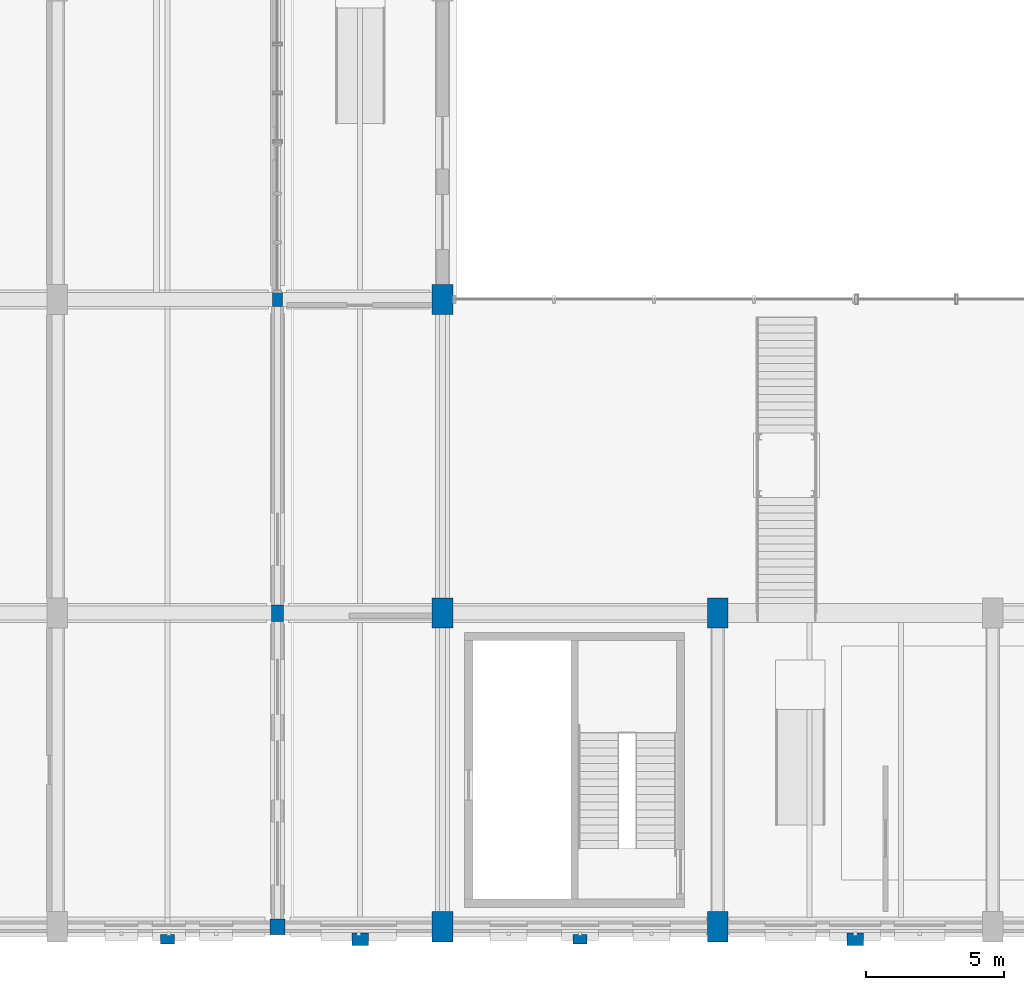
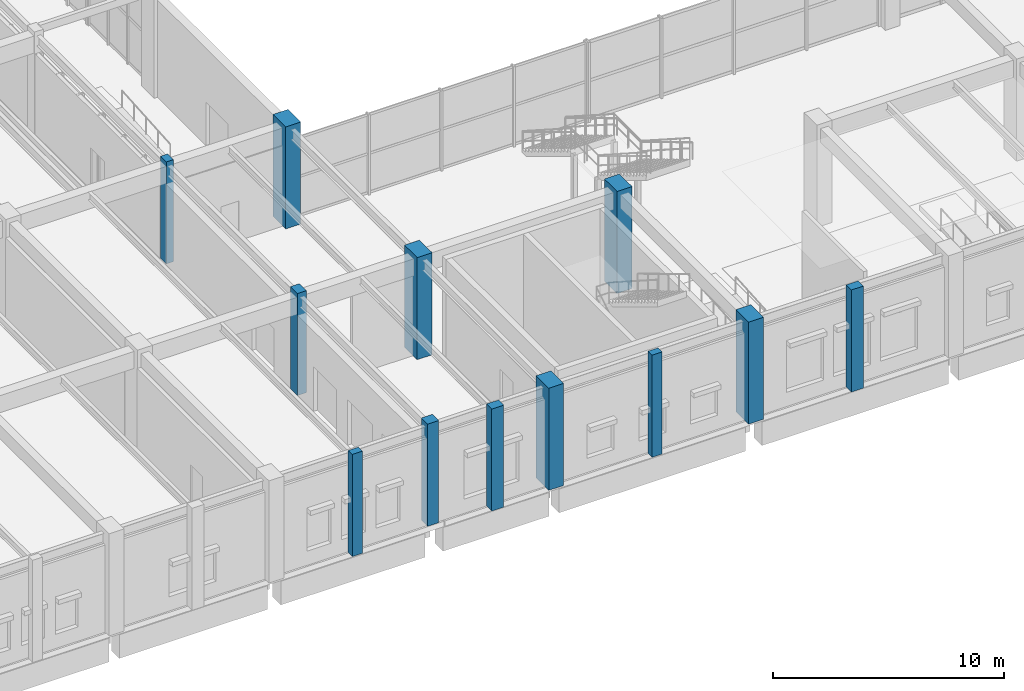
# One storey, part 3 of 113: 12 columns.
"""IFC4 building model written with IfcOpenShell, lengths in metres."""

from ifc_helpers import new_model, si_unit, direction, frame, origin, origin_2d, place, context, subcontext, project, spatial, rectangle, extrude, material, material_profile, profile_set, type_object, element, save


model = new_model("IFC4")

# Units and contexts
model_context = context("Model", 3, precision=1e-05, world=origin(), true_north=direction((0.0, 1.0)))
body_context = subcontext(model_context, "Body", "Model", "MODEL_VIEW")
ifc_project = project(units=[si_unit("LENGTHUNIT", "METRE"), si_unit("AREAUNIT", "SQUARE_METRE"), si_unit("VOLUMEUNIT", "CUBIC_METRE"), si_unit("PLANEANGLEUNIT", "RADIAN"), si_unit("MASSUNIT", "GRAM", prefix="KILO"), si_unit("POWERUNIT", "WATT"), si_unit("THERMODYNAMICTEMPERATUREUNIT", "KELVIN")], contexts=[model_context])

# Site, building, storey
site_placement = place(None, origin())
site = spatial("IfcSite", under=ifc_project, at=site_placement, CompositionType="ELEMENT")
building_placement = place(site_placement, origin())
building = spatial("IfcBuilding", under=site, at=building_placement, Name="Kelmbourne Parkland Aquatics Centre", CompositionType="ELEMENT")
storey_placement = place(building_placement, origin())
storey = spatial("IfcBuildingStorey", under=building, at=storey_placement, Name="L00", CompositionType="ELEMENT", Elevation=0.0)

# Columns
ifc_material_1 = material(Name="Concrete C40/50", Category="concrete")
ifc_material_profile_1 = material_profile(ifc_material_1, rectangle(XDim=0.75, YDim=1.10009765625, at=origin_2d()), Name="RC 750x1100")
ifc_profile_set_1 = profile_set([ifc_material_profile_1], Name="Concrete C40/50")
column_type_1 = type_object("IfcColumnType", Name="COL-C03", PredefinedType="COLUMN", material=ifc_profile_set_1)
for number, where, z_axis, x_axis, name in (
    (1, (46.0, 0.800048828125, 0.0), (0.0, 0.0, 1.0), (1.0, 0.0, 0.0), "Structural column G-01 (L00)"),
    (2, (46.0, 12.199951171875, 0.0), (0.0, 0.0, 1.0), (1.0, 0.0, 0.0), "Structural column G-03 (L00)"),
    (3, (46.0, 23.60009765625, 0.0), (0.0, 0.0, 1.0), (1.0, 0.0, 0.0), "Structural column G-04 (L00)"),
    (4, (56.0, 0.800048828125, 0.0), (0.0, 0.0, 1.0), (1.0, 0.0, 0.0), "Structural column H-01 (L00)"),
    (5, (56.0, 12.199951171875, 0.0), (0.0, 0.0, 1.0), (1.0, 0.0, 0.0), "Structural column H-03 (L00)"),
):
    element("IfcColumn", number, at=place(storey_placement, frame(where, z_axis=z_axis, x_axis=x_axis)), inside=storey, type_object=column_type_1, Name=name, PredefinedType="COLUMN", context=body_context, shape_type="SweptSolid", body=[
        extrude(rectangle(XDim=0.75, YDim=1.10009765625, at=origin_2d()), origin(), (0.0, 0.0, 1.0), 5.39990234375),
    ])
ifc_material_profile_2 = material_profile(ifc_material_1, rectangle(XDim=0.550048828125, YDim=0.550048828125, at=origin_2d()), Name="RC 550x550")
ifc_profile_set_2 = profile_set([ifc_material_profile_2], Name="Concrete C40/50")
column_type_2 = type_object("IfcColumnType", Name="COL-C07", PredefinedType="COLUMN", material=ifc_profile_set_2)
column_placement = place(storey_placement, frame((40.0, 0.800048828125, 0.0), z_axis=(0.0, 0.0, 1.0), x_axis=(1.0, 0.0, 0.0)))
element("IfcColumn", 6, at=column_placement, inside=storey, type_object=column_type_2, Name="Structural column F-01 (L00)", PredefinedType="COLUMN", context=body_context, shape_type="SweptSolid", body=[
    extrude(rectangle(XDim=0.550048828125, YDim=0.550048828125, at=origin_2d()), origin(), (0.0, 0.0, 1.0), 5.39990234375),
])
ifc_material_2 = material(Name="Clay brick masonry AS 3700 M12", Category="masonry")
ifc_material_profile_3 = material_profile(ifc_material_2, rectangle(XDim=0.35009765625, YDim=0.5, at=origin_2d()), Name="PIL 350x500")
ifc_profile_set_3 = profile_set([ifc_material_profile_3], Name="Clay brick masonry AS 3700 M12")
column_type_3 = type_object("IfcColumnType", Name="PIL-PL1", PredefinedType="PILASTER", material=ifc_profile_set_3)
for number, where, z_axis, x_axis, name in (
    (7, (40.0, 23.60009765625, 0.0), (0.0, 0.0, 1.0), (1.0, 0.0, 0.0), "Engaged brick pilaster F-04 (L00)"),
    (8, (36.0, 0.35009765625, 0.0), (0.0, 0.0, 1.0), (0.0, 1.0, 0.0), "Amsterdam School engaged brick buttress S-023 (L00)"),
    (9, (51.0, 0.35009765625, 0.0), (0.0, 0.0, 1.0), (0.0, 1.0, 0.0), "Amsterdam School engaged brick buttress S-025 (L00)"),
):
    element("IfcColumn", number, at=place(storey_placement, frame(where, z_axis=z_axis, x_axis=x_axis)), inside=storey, type_object=column_type_3, Name=name, PredefinedType="PILASTER", context=body_context, shape_type="SweptSolid", body=[
        extrude(rectangle(XDim=0.35009765625, YDim=0.5, at=origin_2d()), origin(), (0.0, 0.0, 1.0), 5.39990234375),
    ])
ifc_material_profile_4 = material_profile(ifc_material_2, rectangle(XDim=0.449951171875, YDim=0.60009765625, at=origin_2d()), Name="PIL 450x600")
ifc_profile_set_4 = profile_set([ifc_material_profile_4], Name="Clay brick masonry AS 3700 M12")
column_type_4 = type_object("IfcColumnType", Name="PIL-PL2", PredefinedType="PILASTER", material=ifc_profile_set_4)
for number, where, z_axis, x_axis, name in (
    (10, (40.0, 12.199951171875, 0.0), (0.0, 0.0, 1.0), (1.0, 0.0, 0.0), "Engaged brick pilaster F-03 (L00)"),
    (11, (43.0, 0.35009765625, 0.0), (0.0, 0.0, 1.0), (0.0, 1.0, 0.0), "Amsterdam School engaged brick buttress S-024 (L00)"),
    (12, (61.0, 0.35009765625, 0.0), (0.0, 0.0, 1.0), (0.0, 1.0, 0.0), "Amsterdam School engaged brick buttress S-026 (L00)"),
):
    element("IfcColumn", number, at=place(storey_placement, frame(where, z_axis=z_axis, x_axis=x_axis)), inside=storey, type_object=column_type_4, Name=name, PredefinedType="PILASTER", context=body_context, shape_type="SweptSolid", body=[
        extrude(rectangle(XDim=0.449951171875, YDim=0.60009765625, at=origin_2d()), origin(), (0.0, 0.0, 1.0), 5.39990234375),
    ])

save(model, "model.ifc")
